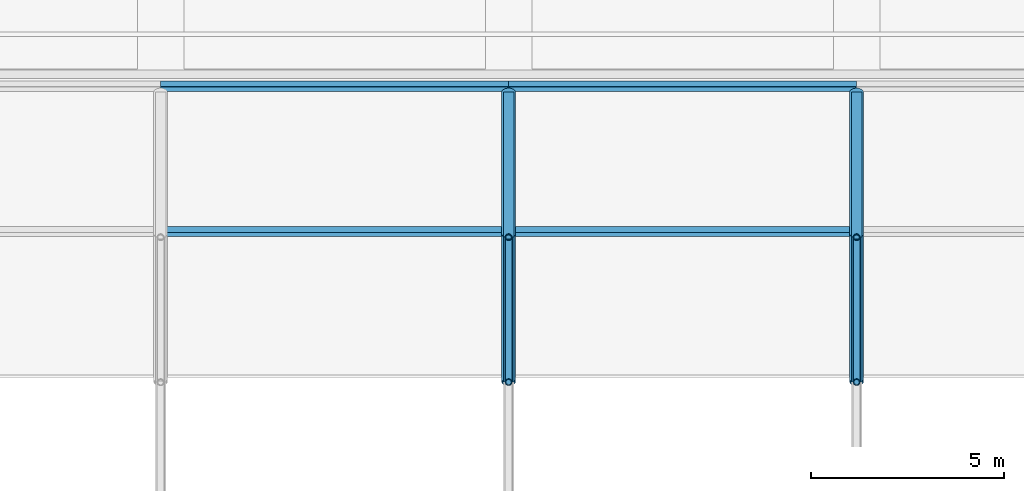
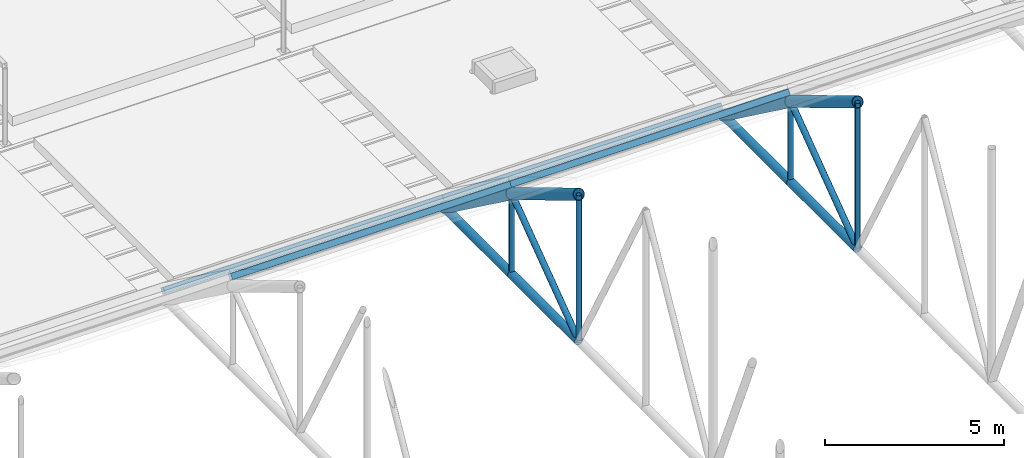
# One storey, part 81 of 153: 18 members.
"""IFC4 building model written with IfcOpenShell, lengths in metres."""

from ifc_helpers import new_model, si_unit, direction, frame, origin, origin_2d, place, context, subcontext, project, spatial, hollow_rectangle, hollow_circle, extrude, material, material_profile, profile_set, type_object, element, save


model = new_model("IFC4")

# Units and contexts
model_context = context("Model", 3, precision=1e-05, world=origin(), true_north=direction((0.0, 1.0)))
body_context = subcontext(model_context, "Body", "Model", "MODEL_VIEW")
ifc_project = project(units=[si_unit("LENGTHUNIT", "METRE"), si_unit("AREAUNIT", "SQUARE_METRE"), si_unit("VOLUMEUNIT", "CUBIC_METRE"), si_unit("PLANEANGLEUNIT", "RADIAN"), si_unit("MASSUNIT", "GRAM", prefix="KILO")], contexts=[model_context])

# Site, building, storey
site_placement = place(None, origin())
site = spatial("IfcSite", under=ifc_project, at=site_placement, CompositionType="ELEMENT")
building_placement = place(site_placement, origin())
building = spatial("IfcBuilding", under=site, at=building_placement, Name="Baradari Gate Terminus", CompositionType="ELEMENT")
storey_placement = place(building_placement, frame((0.0, 0.0, 11.699951171875)))
storey = spatial("IfcBuildingStorey", under=building, at=storey_placement, Name="L02", CompositionType="ELEMENT", Elevation=11.699951171875)

# Members
ifc_material_1 = material(Name="Steel S355", Category="steel")
ifc_material_profile_1 = material_profile(ifc_material_1, hollow_circle(Radius=0.136474609375, WallThickness=0.012451171875, at=origin_2d()), Name="CHS 273x12.5")
ifc_profile_set_1 = profile_set([ifc_material_profile_1], Name="Steel S355")
member_type_1 = type_object("IfcMemberType", Name="Shed bottom chord CHS 273x12.5", PredefinedType="CHORD", material=ifc_profile_set_1)
for number, where, z_axis, x_axis, name in (
    (1, (207.0, 73.5, 0.136474609375), (0.0, 1.0, 0.0), (-1.0, 0.0, 0.0), "TR/L02/S207-BC10"),
    (2, (207.0, 77.25, 0.136474609375), (0.0, 1.0, 0.0), (-1.0, 0.0, 0.0), "TR/L02/S207-BC11"),
    (3, (216.0, 73.5, 0.136474609375), (0.0, 1.0, 0.0), (-1.0, 0.0, 0.0), "TR/L02/S216-BC10"),
    (4, (216.0, 77.25, 0.136474609375), (0.0, 1.0, 0.0), (-1.0, 0.0, 0.0), "TR/L02/S216-BC11"),
):
    element("IfcMember", number, at=place(storey_placement, frame(where, z_axis=z_axis, x_axis=x_axis)), inside=storey, type_object=member_type_1, Name=name, PredefinedType="CHORD", context=body_context, shape_type="SweptSolid", body=[
        extrude(hollow_circle(Radius=0.136474609375, WallThickness=0.012451171875, at=origin_2d()), origin(), (0.0, 0.0, 1.0), 3.75),
    ])
ifc_material_2 = material(Name="Steel S355", Category="steel")
ifc_material_profile_2 = material_profile(ifc_material_2, hollow_rectangle(XDim=0.199951171875, YDim=0.199951171875, WallThickness=0.008056640625, InnerFilletRadius=0.008056640625, OuterFilletRadius=0.01611328125, at=origin_2d()), Name="SHS 200x200x8")
ifc_profile_set_2 = profile_set([ifc_material_profile_2], Name="Steel S355")
member_type_2 = type_object("IfcMemberType", Name="Shed purlin SHS 200x200x8", PredefinedType="PURLIN", material=ifc_profile_set_2)
for number, where, z_axis, x_axis, name in (
    (5, (198.0, 77.397216796875, 3.10791015625), (1.0, 0.0, 0.0), (0.0, 0.832836263724, -0.55351942859), "TR/L02/B207-PU11"),
    (6, (198.0, 81.1572265625, 0.350830078125), (1.0, 0.0, 0.0), (0.0, 0.80640499586, -0.591363663621), "TR/L02/B207-PU12"),
    (7, (207.0, 77.397216796875, 3.10791015625), (1.0, 0.0, 0.0), (0.0, 0.832836263724, -0.55351942859), "TR/L02/B216-PU11"),
    (8, (207.0, 81.1572265625, 0.350830078125), (1.0, 0.0, 0.0), (0.0, 0.80640499586, -0.591363663621), "TR/L02/B216-PU12"),
):
    element("IfcMember", number, at=place(storey_placement, frame(where, z_axis=z_axis, x_axis=x_axis)), inside=storey, type_object=member_type_2, Name=name, PredefinedType="PURLIN", context=body_context, shape_type="SweptSolid", body=[
        extrude(hollow_rectangle(XDim=0.199951171875, YDim=0.199951171875, WallThickness=0.008056640625, InnerFilletRadius=0.008056640625, OuterFilletRadius=0.01611328125, at=origin_2d()), origin(), (0.0, 0.0, 1.0), 9.0),
    ])
ifc_material_3 = material(Name="Steel S355", Category="steel")
ifc_material_profile_3 = material_profile(ifc_material_3, hollow_circle(Radius=0.177734375, WallThickness=0.01611328125, at=origin_2d()), Name="CHS 355.6x16")
ifc_profile_set_3 = profile_set([ifc_material_profile_3], Name="Steel S355")
member_type_3 = type_object("IfcMemberType", Name="Shed top chord CHS 355.6x16", PredefinedType="CHORD", material=ifc_profile_set_3)
member_1_placement = place(storey_placement, frame((207.0, 73.5, 5.136474609375), z_axis=(0.0, 0.857492925713, -0.514495755428), x_axis=(-1.0, 0.0, 0.0)))
element("IfcMember", 9, at=member_1_placement, inside=storey, type_object=member_type_3, Name="TR/L02/S207-TC10", PredefinedType="CHORD", context=body_context, shape_type="SweptSolid", body=[
    extrude(hollow_circle(Radius=0.177734375, WallThickness=0.01611328125, at=origin_2d()), origin(), (0.0, 0.0, 1.0), 4.373291015625),
])
member_2_placement = place(storey_placement, frame((207.0, 77.25, 2.886474609375), z_axis=(0.0, 0.806404995856, -0.591363663628), x_axis=(-1.0, 0.0, 0.0)))
element("IfcMember", 10, at=member_2_placement, inside=storey, type_object=member_type_3, Name="TR/L02/S207-TC11", PredefinedType="CHORD", context=body_context, shape_type="SweptSolid", body=[
    extrude(hollow_circle(Radius=0.177734375, WallThickness=0.01611328125, at=origin_2d()), origin(), (0.0, 0.0, 1.0), 4.650390625),
])
member_3_placement = place(storey_placement, frame((216.0, 73.5, 5.136474609375), z_axis=(0.0, 0.857492925713, -0.514495755428), x_axis=(-1.0, 0.0, 0.0)))
element("IfcMember", 11, at=member_3_placement, inside=storey, type_object=member_type_3, Name="TR/L02/S216-TC10", PredefinedType="CHORD", context=body_context, shape_type="SweptSolid", body=[
    extrude(hollow_circle(Radius=0.177734375, WallThickness=0.01611328125, at=origin_2d()), origin(), (0.0, 0.0, 1.0), 4.373291015625),
])
member_4_placement = place(storey_placement, frame((216.0, 77.25, 2.886474609375), z_axis=(0.0, 0.806404995856, -0.591363663628), x_axis=(-1.0, 0.0, 0.0)))
element("IfcMember", 12, at=member_4_placement, inside=storey, type_object=member_type_3, Name="TR/L02/S216-TC11", PredefinedType="CHORD", context=body_context, shape_type="SweptSolid", body=[
    extrude(hollow_circle(Radius=0.177734375, WallThickness=0.01611328125, at=origin_2d()), origin(), (0.0, 0.0, 1.0), 4.650390625),
])
ifc_material_4 = material(Name="Steel S355", Category="steel")
ifc_material_profile_4 = material_profile(ifc_material_4, hollow_circle(Radius=0.096923828125, WallThickness=0.008056640625, at=origin_2d()), Name="CHS 193.7x8")
ifc_profile_set_4 = profile_set([ifc_material_profile_4], Name="Steel S355")
member_type_4 = type_object("IfcMemberType", Name="Shed truss diagonal CHS 193.7x8", PredefinedType="BRACE", material=ifc_profile_set_4)
for number, where, z_axis, x_axis, name in (
    (13, (207.0, 77.25, 2.886474609375), (0.0, -0.806404995856, -0.591363663628), (1.0, 0.0, 0.0), "TR/L02/S207-SD10"),
    (14, (216.0, 77.25, 2.886474609375), (0.0, -0.806404995856, -0.591363663628), (1.0, 0.0, 0.0), "TR/L02/S216-SD10"),
):
    element("IfcMember", number, at=place(storey_placement, frame(where, z_axis=z_axis, x_axis=x_axis)), inside=storey, type_object=member_type_4, Name=name, PredefinedType="BRACE", context=body_context, shape_type="SweptSolid", body=[
        extrude(hollow_circle(Radius=0.096923828125, WallThickness=0.008056640625, at=origin_2d()), origin(), (0.0, 0.0, 1.0), 4.650390625),
    ])
ifc_material_5 = material(Name="Steel S355", Category="steel")
ifc_material_profile_5 = material_profile(ifc_material_5, hollow_circle(Radius=0.084228515625, WallThickness=0.008056640625, at=origin_2d()), Name="CHS 168.3x8")
ifc_profile_set_5 = profile_set([ifc_material_profile_5], Name="Steel S355")
member_type_5 = type_object("IfcMemberType", Name="Shed truss post CHS 168.3x8", PredefinedType="POST", material=ifc_profile_set_5)
member_5_placement = place(storey_placement, frame((207.0, 73.5, 0.136474609375), z_axis=(0.0, 0.0, 1.0), x_axis=(1.0, 0.0, 0.0)))
element("IfcMember", 15, at=member_5_placement, inside=storey, type_object=member_type_5, Name="TR/L02/S207-SP10", PredefinedType="POST", context=body_context, shape_type="SweptSolid", body=[
    extrude(hollow_circle(Radius=0.084228515625, WallThickness=0.008056640625, at=origin_2d()), origin(), (0.0, 0.0, 1.0), 5.0),
])
member_6_placement = place(storey_placement, frame((207.0, 77.25, 0.136474609375), z_axis=(0.0, 0.0, 1.0), x_axis=(1.0, 0.0, 0.0)))
element("IfcMember", 16, at=member_6_placement, inside=storey, type_object=member_type_5, Name="TR/L02/S207-SP11", PredefinedType="POST", context=body_context, shape_type="SweptSolid", body=[
    extrude(hollow_circle(Radius=0.084228515625, WallThickness=0.008056640625, at=origin_2d()), origin(), (0.0, 0.0, 1.0), 2.75),
])
member_7_placement = place(storey_placement, frame((216.0, 73.5, 0.136474609375), z_axis=(0.0, 0.0, 1.0), x_axis=(1.0, 0.0, 0.0)))
element("IfcMember", 17, at=member_7_placement, inside=storey, type_object=member_type_5, Name="TR/L02/S216-SP10", PredefinedType="POST", context=body_context, shape_type="SweptSolid", body=[
    extrude(hollow_circle(Radius=0.084228515625, WallThickness=0.008056640625, at=origin_2d()), origin(), (0.0, 0.0, 1.0), 5.0),
])
member_8_placement = place(storey_placement, frame((216.0, 77.25, 0.136474609375), z_axis=(0.0, 0.0, 1.0), x_axis=(1.0, 0.0, 0.0)))
element("IfcMember", 18, at=member_8_placement, inside=storey, type_object=member_type_5, Name="TR/L02/S216-SP11", PredefinedType="POST", context=body_context, shape_type="SweptSolid", body=[
    extrude(hollow_circle(Radius=0.084228515625, WallThickness=0.008056640625, at=origin_2d()), origin(), (0.0, 0.0, 1.0), 2.75),
])

save(model, "model.ifc")
